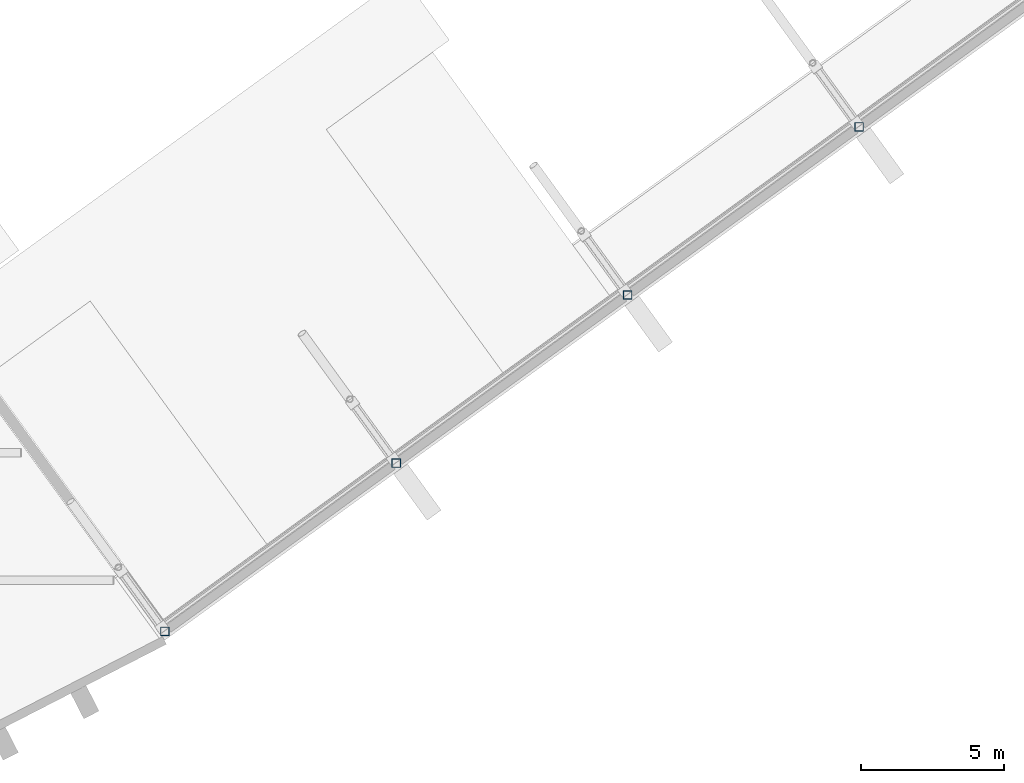
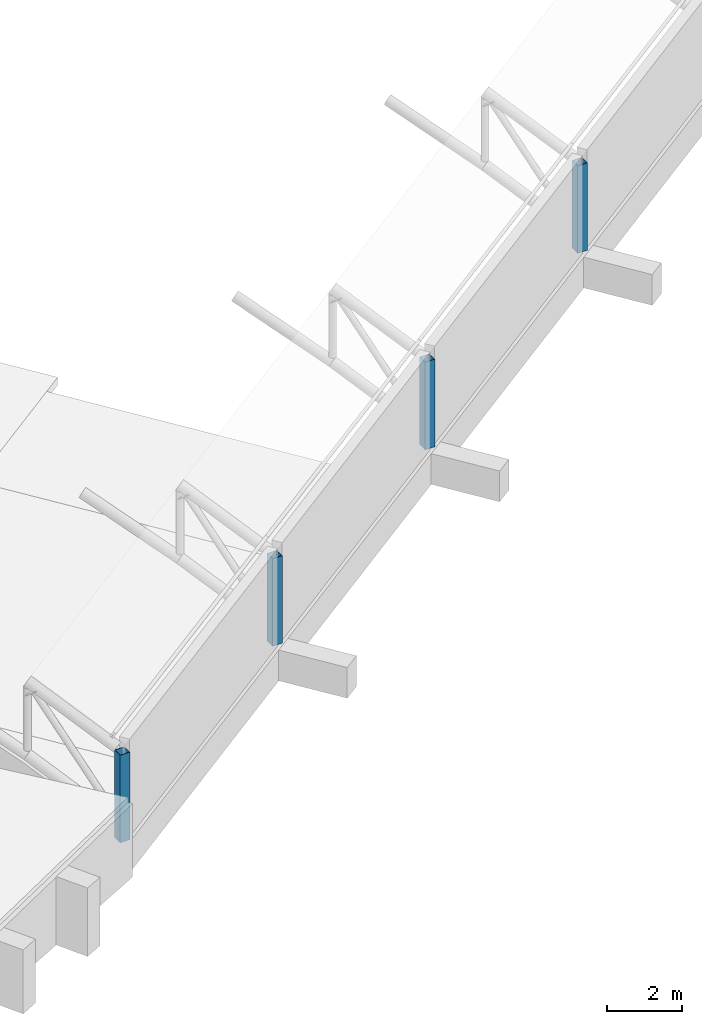
# One storey, part 22 of 196: 4 columns.
"""IFC4 building model written with IfcOpenShell, lengths in metres."""

from ifc_helpers import new_model, si_unit, direction, frame, origin, origin_2d, place, context, subcontext, project, spatial, hollow_rectangle, extrude, material, material_profile, profile_set, type_object, element, save


model = new_model("IFC4")

# Units and contexts
model_context = context("Model", 3, precision=1e-05, world=origin(), true_north=direction((0.0, 1.0)))
body_context = subcontext(model_context, "Body", "Model", "MODEL_VIEW")
ifc_project = project(units=[si_unit("LENGTHUNIT", "METRE"), si_unit("AREAUNIT", "SQUARE_METRE"), si_unit("VOLUMEUNIT", "CUBIC_METRE"), si_unit("PLANEANGLEUNIT", "RADIAN"), si_unit("MASSUNIT", "GRAM", prefix="KILO")], contexts=[model_context])

# Site, building, storey
site_placement = place(None, origin())
site = spatial("IfcSite", under=ifc_project, at=site_placement, CompositionType="ELEMENT")
building_placement = place(site_placement, origin())
building = spatial("IfcBuilding", under=site, at=building_placement, Name="Okhra Congress Centre", CompositionType="ELEMENT")
storey_placement = place(building_placement, frame((0.0, 0.0, 12.0)))
storey = spatial("IfcBuildingStorey", under=building, at=storey_placement, Name="L02", CompositionType="ELEMENT", Elevation=12.0)

# Columns
ifc_material = material(Name="Steel S355J2H", Category="steel")
ifc_material_profile = material_profile(ifc_material, hollow_rectangle(XDim=0.300048828125, YDim=0.300048828125, WallThickness=0.012451171875, at=origin_2d()), Name="RHS 300x300x12.5")
ifc_profile_set = profile_set([ifc_material_profile], Name="Steel S355J2H")
column_type = type_object("IfcColumnType", Name="RHS 300x300x12.5", PredefinedType="COLUMN", material=ifc_profile_set)
for number, where, z_axis, x_axis, name in (
    (1, (229.810546875, 156.10888671875, 1.0), (0.0, 0.0, 1.0), (1.0, 0.0, 0.0), "Truss 1 end post S"),
    (2, (237.900634765625, 161.98681640625, 1.0), (0.0, 0.0, 1.0), (1.0, 0.0, 0.0), "Truss 2 end post S"),
    (3, (245.99072265625, 167.864501953125, 1.0), (0.0, 0.0, 1.0), (1.0, 0.0, 0.0), "Truss 3 end post S"),
    (4, (254.0810546875, 173.742431640625, 1.0), (0.0, 0.0, 1.0), (1.0, 0.0, 0.0), "Truss 4 end post S"),
):
    element("IfcColumn", number, at=place(storey_placement, frame(where, z_axis=z_axis, x_axis=x_axis)), inside=storey, type_object=column_type, Name=name, PredefinedType="COLUMN", context=body_context, shape_type="SweptSolid", body=[
        extrude(hollow_rectangle(XDim=0.300048828125, YDim=0.300048828125, WallThickness=0.012451171875, at=origin_2d()), origin(), (0.0, 0.0, 1.0), 2.85009765625),
    ])

save(model, "model.ifc")
